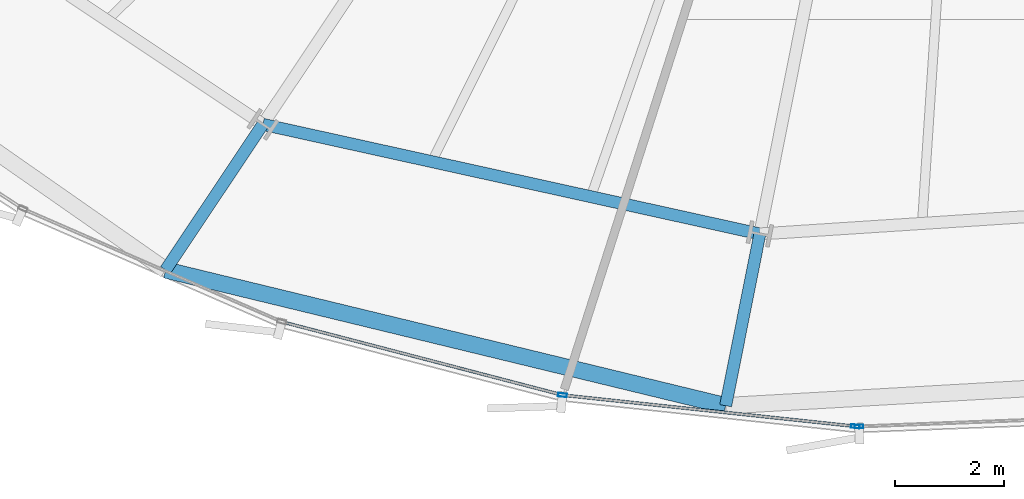
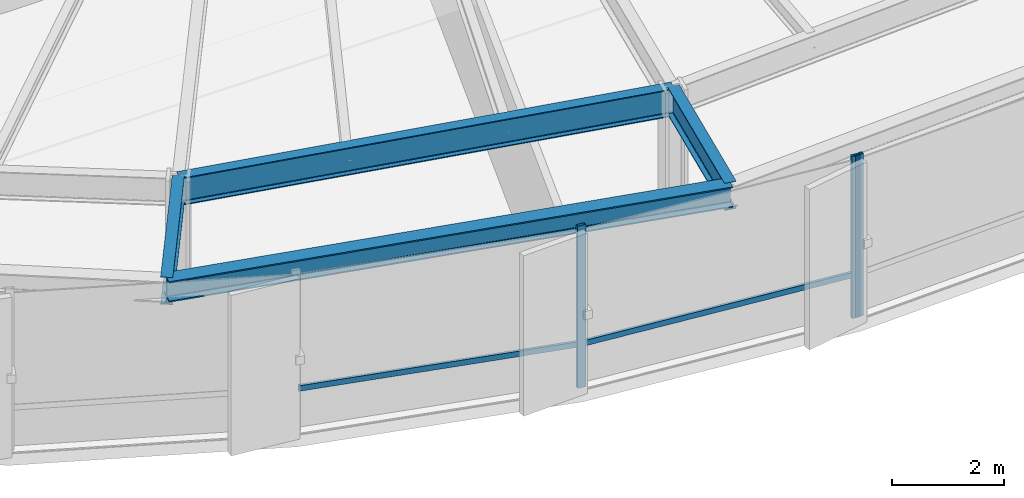
# One storey, part 5 of 37: 5 members, 4 beams, 2 elements without a shape of their own.
"""IFC4 building model written with IfcOpenShell, lengths in metres."""

from ifc_helpers import new_model, si_unit, direction, frame, origin, origin_2d, place, context, subcontext, project, spatial, hollow_rectangle, i_section, extrude, source, transform, mapped, material, layer, layer_set, material_profile, profile_set, type_object, element, aggregate, save


model = new_model("IFC4")

# Units and contexts
model_context = context("Model", 3, precision=1e-05, world=origin(), true_north=direction((0.0, 1.0)))
body_context = subcontext(model_context, "Body", "Model", "MODEL_VIEW")
ifc_project = project(units=[si_unit("LENGTHUNIT", "METRE"), si_unit("AREAUNIT", "SQUARE_METRE"), si_unit("VOLUMEUNIT", "CUBIC_METRE"), si_unit("PLANEANGLEUNIT", "RADIAN"), si_unit("MASSUNIT", "GRAM", prefix="KILO"), si_unit("THERMODYNAMICTEMPERATUREUNIT", "KELVIN")], contexts=[model_context])

# Site, building, storey
site_placement = place(None, origin())
site = spatial("IfcSite", under=ifc_project, at=site_placement, CompositionType="ELEMENT")
building_placement = place(site_placement, origin())
building = spatial("IfcBuilding", under=site, at=building_placement, Name="Kethvar Cultural Tower", CompositionType="ELEMENT")
storey_placement = place(building_placement, frame((0.0, 0.0, 56.199951171875)))
storey = spatial("IfcBuildingStorey", under=building, at=storey_placement, Name="L13", CompositionType="ELEMENT", Elevation=56.199951171875)

# Beams
ifc_material_1 = material(Name="Steel S355J2", Category="steel")
ifc_material_profile_1 = material_profile(ifc_material_1, i_section(OverallWidth=0.219970703125, OverallDepth=0.60009765625, WebThickness=0.011962890625, FlangeThickness=0.01904296875, FilletRadius=0.02392578125, at=origin_2d()), Name="Steel S355J2 — IPE600")
ifc_profile_set_1 = profile_set([ifc_material_profile_1], Name="Steel S355J2 — IPE600")
beam_type_1 = type_object("IfcBeamType", Name="BM-IPE600", PredefinedType="BEAM", material=ifc_profile_set_1)
shared_shape_1 = source(origin(), body_context, "Body", "SweptSolid", [
    extrude(i_section(OverallWidth=0.219970703125, OverallDepth=0.60009765625, WebThickness=0.011962890625, FlangeThickness=0.01904296875, FilletRadius=0.02392578125, at=origin_2d()), origin(), (0.0, 0.0, 1.0), 3.2001953125),
])
beam_1_placement = place(storey_placement, frame((42.38330078125, 5.59619140625, 3.248046875), z_axis=(-0.195074368086, -0.980788453702, 0.0), x_axis=(0.980788453702, -0.195074368086, 0.0)))
element("IfcBeam", 1, at=beam_1_placement, inside=storey, type_object=beam_type_1, Name="L13 Perimeter Cantilever Beam RC-12", PredefinedType="BEAM", context=body_context, shape_type="MappedRepresentation", body=[
    mapped(shared_shape_1, transform((0.0, 0.0, 0.0), scale=1.0)),
])
shared_shape_2 = source(origin(), body_context, "Body", "SweptSolid", [
    extrude(i_section(OverallWidth=0.219970703125, OverallDepth=0.60009765625, WebThickness=0.011962890625, FlangeThickness=0.01904296875, FilletRadius=0.02392578125, at=origin_2d()), origin(), (0.0, 0.0, 1.0), 3.199951171875),
])
beam_2_placement = place(storey_placement, frame((33.302001953125, 7.598876953125, 3.248046875), z_axis=(-0.555580212716, -0.831462943996, 0.0), x_axis=(0.831462943996, -0.555580212716, 0.0)))
element("IfcBeam", 2, at=beam_2_placement, inside=storey, type_object=beam_type_1, Name="L13 Perimeter Cantilever Beam RC-11", PredefinedType="BEAM", context=body_context, shape_type="MappedRepresentation", body=[
    mapped(shared_shape_2, transform((0.0, 0.0, 0.0), scale=1.0)),
])
shared_shape_3 = source(origin(), body_context, "Body", "SweptSolid", [
    extrude(i_section(OverallWidth=0.219970703125, OverallDepth=0.60009765625, WebThickness=0.011962890625, FlangeThickness=0.01904296875, FilletRadius=0.02392578125, at=origin_2d()), origin(), (0.0, 0.0, 1.0), 9.299560546875),
])
beam_3_placement = place(storey_placement, frame((33.302001953125, 7.598876953125, 3.248046875), z_axis=(0.976536034872, -0.21535406334, 0.0), x_axis=(0.21535406334, 0.976536034872, 0.0)))
element("IfcBeam", 3, at=beam_3_placement, inside=storey, type_object=beam_type_1, Name="L13 Column Ring Tie Beam CR-11", PredefinedType="BEAM", context=body_context, shape_type="MappedRepresentation", body=[
    mapped(shared_shape_3, transform((0.0, 0.0, 0.0), scale=1.0)),
])
ifc_material_profile_2 = material_profile(ifc_material_1, i_section(OverallWidth=0.300048828125, OverallDepth=0.449951171875, WebThickness=0.013916015625, FlangeThickness=0.02587890625, FilletRadius=0.027099609375, at=origin_2d()), Name="Steel S355J2 — HEB450")
ifc_profile_set_2 = profile_set([ifc_material_profile_2], Name="Steel S355J2 — HEB450")
beam_type_2 = type_object("IfcBeamType", Name="BM-SP450", PredefinedType="SPANDREL", material=ifc_profile_set_2)
shared_shape_4 = source(origin(), body_context, "Body", "SweptSolid", [
    extrude(i_section(OverallWidth=0.300048828125, OverallDepth=0.449951171875, WebThickness=0.013916015625, FlangeThickness=0.02587890625, FilletRadius=0.027099609375, at=origin_2d()), origin(), (0.0, 0.0, 1.0), 10.53125),
])
beam_4_placement = place(storey_placement, frame((31.524169921875, 4.938232421875, 3.322998046875), z_axis=(0.971860238373, -0.235558224372, 0.0), x_axis=(0.235558224372, 0.971860238373, 0.0)))
element("IfcBeam", 4, at=beam_4_placement, inside=storey, type_object=beam_type_2, Name="L13 Perimeter Spandrel Beam SP-11", PredefinedType="SPANDREL", context=body_context, shape_type="MappedRepresentation", body=[
    mapped(shared_shape_4, transform((0.0, 0.0, 0.0), scale=1.0)),
])

# Curtain wall, members
ifc_material_2 = material(Name="Aluminium 6063-T6", Category="aluminium")
ifc_layer = layer(ifc_material_2, 0.179931640625, Name="Aluminium 6063-T6", Category="aluminium")
ifc_layer_set = layer_set([ifc_layer], Name="Aluminium 6063-T6 (180 mm)")
curtain_wall_type = type_object("IfcCurtainWallType", Name="CW-SYS-02-Z1", PredefinedType="NOTDEFINED", material=ifc_layer_set)
curtain_wall_1_placement = place(storey_placement, origin())
curtain_wall_1 = element("IfcCurtainWall", 5, at=curtain_wall_1_placement, inside=storey, type_object=curtain_wall_type, Name="L13 Curtain Wall Run 05", PredefinedType="NOTDEFINED")
ifc_material_profile_3 = material_profile(ifc_material_2, hollow_rectangle(XDim=0.06494140625, YDim=0.159912109375, WallThickness=0.0048828125, at=origin_2d()), Name="Aluminium 6063-T6 — RHS160x65x5")
ifc_profile_set_3 = profile_set([ifc_material_profile_3], Name="Aluminium 6063-T6 — RHS160x65x5")
member_type_1 = type_object("IfcMemberType", Name="CW-SYS-02-Z1-MUL", PredefinedType="MULLION", material=ifc_profile_set_3)
shared_shape_5 = source(origin(), body_context, "Body", "SweptSolid", [
    extrude(hollow_rectangle(XDim=0.06494140625, YDim=0.159912109375, WallThickness=0.0048828125, at=origin_2d()), origin(), (0.0, 0.0, 1.0), 3.550048828125),
])
member_1_placement = place(storey_placement, frame((38.777587890625, 2.651611328125, 0.0), z_axis=(0.0, 0.0, 1.0), x_axis=(0.106073170198, 0.994358327045, 0.0)))
member_1 = element("IfcMember", 6, at=member_1_placement, type_object=member_type_1, Name="CW-L13-R05 Mullion 6", PredefinedType="MULLION", context=body_context, shape_type="MappedRepresentation", body=[
    mapped(shared_shape_5, transform((0.0, 0.0, 0.0), scale=1.0)),
])
member_2_placement = place(storey_placement, frame((44.1279296875, 2.080810546875, 0.0), z_axis=(0.0, 0.0, 1.0), x_axis=(0.106073170198, 0.994358327045, 0.0)))
member_2 = element("IfcMember", 7, at=member_2_placement, type_object=member_type_1, Name="CW-L13-R05 Mullion 7", PredefinedType="MULLION", context=body_context, shape_type="MappedRepresentation", body=[
    mapped(shared_shape_5, transform((0.0, 0.0, 0.0), scale=1.0)),
])

# Curtain wall, member
curtain_wall_2_placement = place(storey_placement, origin())
curtain_wall_2 = element("IfcCurtainWall", 8, at=curtain_wall_2_placement, inside=storey, type_object=curtain_wall_type, Name="L13 Curtain Wall Run 06", PredefinedType="NOTDEFINED")
member_3_placement = place(storey_placement, frame((44.19482421875, 2.07861328125, 0.0), z_axis=(0.0, 0.0, 1.0), x_axis=(-0.038370368654, 0.999263586252, 0.0)))
member_3 = element("IfcMember", 9, at=member_3_placement, type_object=member_type_1, Name="CW-L13-R06 Mullion 1", PredefinedType="MULLION", context=body_context, shape_type="MappedRepresentation", body=[
    mapped(shared_shape_5, transform((0.0, 0.0, 0.0), scale=1.0)),
])
aggregate(curtain_wall_2, [member_3])

# Member
ifc_material_profile_4 = material_profile(ifc_material_2, hollow_rectangle(XDim=0.054931640625, YDim=0.1201171875, WallThickness=0.00390625, at=origin_2d()), Name="Aluminium 6063-T6 — RHS120x55x4")
ifc_profile_set_4 = profile_set([ifc_material_profile_4], Name="Aluminium 6063-T6 — RHS120x55x4")
member_type_2 = type_object("IfcMemberType", Name="CW-SYS-02-Z1-TRN", PredefinedType="USERDEFINED", material=ifc_profile_set_4)
shared_shape_6 = source(origin(), body_context, "Body", "SweptSolid", [
    extrude(hollow_rectangle(XDim=0.054931640625, YDim=0.1201171875, WallThickness=0.00390625, at=origin_2d()), origin(), (0.0, 0.0, 1.0), 5.226806640625),
])
member_4_placement = place(storey_placement, frame((33.6923828125, 3.9794921875, 0.949951171875), z_axis=(0.967619256457, -0.25241429146, 0.0), x_axis=(0.25241429146, 0.967619256457, 0.0)))
member_4 = element("IfcMember", 10, at=member_4_placement, type_object=member_type_2, Name="CW-L13-R05 Transom 5", ObjectType="TRANSOM", PredefinedType="USERDEFINED", context=body_context, shape_type="MappedRepresentation", body=[
    mapped(shared_shape_6, transform((0.0, 0.0, 0.0), scale=1.0)),
])

shared_shape_7 = source(origin(), body_context, "Body", "SweptSolid", [
    extrude(hollow_rectangle(XDim=0.054931640625, YDim=0.1201171875, WallThickness=0.00390625, at=origin_2d()), origin(), (0.0, 0.0, 1.0), 5.3291015625),
])
member_5_placement = place(storey_placement, frame((38.82421875, 2.646728515625, 0.949951171875), z_axis=(0.994355334557, -0.106101218836, 0.0), x_axis=(0.106101218836, 0.994355334557, 0.0)))
member_5 = element("IfcMember", 11, at=member_5_placement, type_object=member_type_2, Name="CW-L13-R05 Transom 6", ObjectType="TRANSOM", PredefinedType="USERDEFINED", context=body_context, shape_type="MappedRepresentation", body=[
    mapped(shared_shape_7, transform((0.0, 0.0, 0.0), scale=1.0)),
])

aggregate(curtain_wall_1, [member_1, member_2, member_4, member_5])

save(model, "model.ifc")
